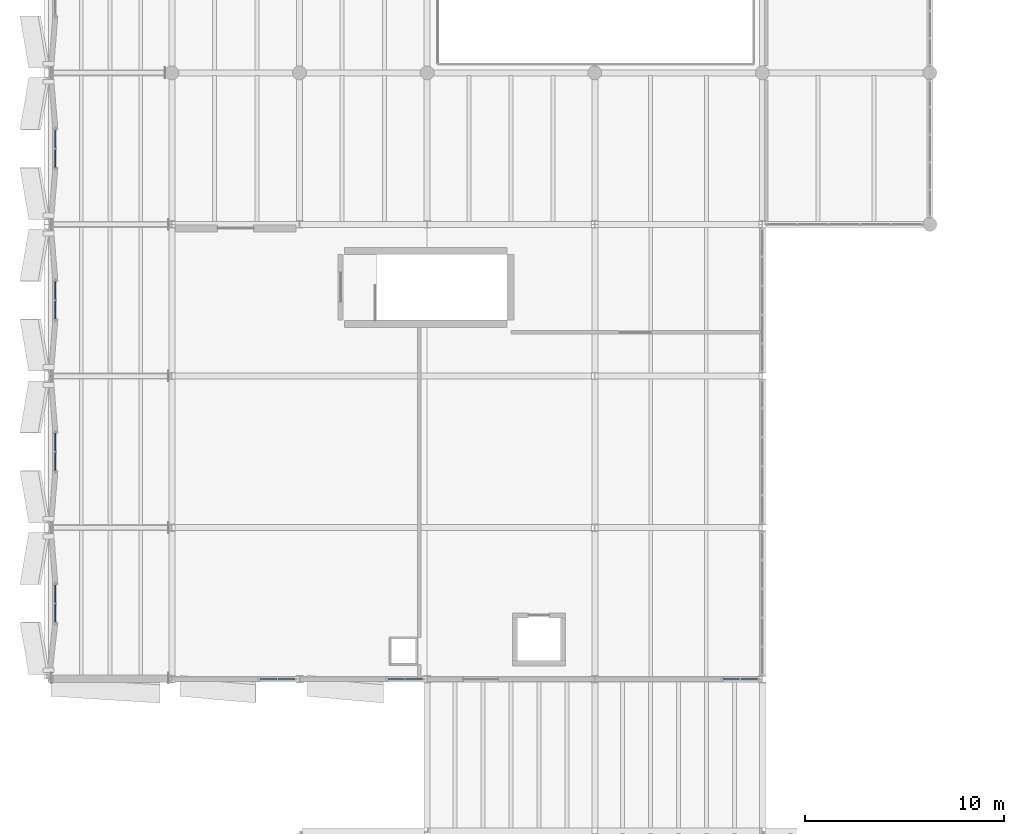
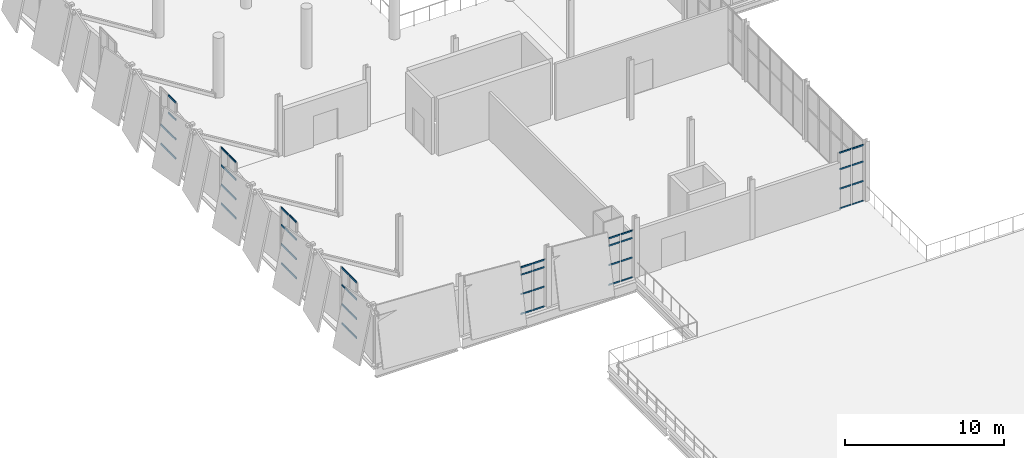
# One storey, part 46 of 74: 54 members, 7 elements without a shape of their own.
"""IFC4 building model written with IfcOpenShell, lengths in metres."""

from ifc_helpers import new_model, si_unit, direction, frame, origin, origin_2d, place, context, subcontext, project, spatial, hollow_rectangle, extrude, material, material_profile, profile_set, type_object, element, aggregate, save


model = new_model("IFC4")

# Units and contexts
model_context = context("Model", 3, precision=1e-05, world=origin(), true_north=direction((0.0, 1.0)))
body_context = subcontext(model_context, "Body", "Model", "MODEL_VIEW")
ifc_project = project(units=[si_unit("LENGTHUNIT", "METRE"), si_unit("AREAUNIT", "SQUARE_METRE"), si_unit("VOLUMEUNIT", "CUBIC_METRE"), si_unit("PLANEANGLEUNIT", "RADIAN"), si_unit("MASSUNIT", "GRAM", prefix="KILO")], contexts=[model_context])

# Site, building, storey
site_placement = place(None, origin())
site = spatial("IfcSite", under=ifc_project, at=site_placement, CompositionType="ELEMENT")
building_placement = place(site_placement, origin())
building = spatial("IfcBuilding", under=site, at=building_placement, Name="Shengluoqiao Park Theatre", CompositionType="ELEMENT")
storey_placement = place(building_placement, frame((0.0, 0.0, 14.60009765625)))
storey = spatial("IfcBuildingStorey", under=building, at=storey_placement, Name="L03", CompositionType="ELEMENT", Elevation=14.60009765625)

# Curtain wall, members
ifc_material = material(Name="Aluminium 6063-T6", Category="aluminium")
curtain_wall_type_1 = type_object("IfcCurtainWallType", Name="ENV-CW-STUDIO", PredefinedType="NOTDEFINED", material=ifc_material)
curtain_wall_1_placement = place(storey_placement, origin())
curtain_wall_1 = element("IfcCurtainWall", 1, at=curtain_wall_1_placement, inside=storey, type_object=curtain_wall_type_1, Name="L03 Curtain Wall CWX-L03-0030", PredefinedType="NOTDEFINED")
ifc_material_profile_1 = material_profile(ifc_material, hollow_rectangle(XDim=0.06005859375, YDim=0.1201171875, WallThickness=0.00390625, InnerFilletRadius=0.00390625, OuterFilletRadius=0.008056640625, at=origin_2d()), Name="ALU TRANSOM 120x60x4")
ifc_profile_set_1 = profile_set([ifc_material_profile_1], Name="Aluminium 6063-T6")
member_type_1 = type_object("IfcMemberType", Name="ENV-TRN-120", PredefinedType="USERDEFINED", material=ifc_profile_set_1)
member_1_placement = place(storey_placement, frame((10.826904296875, 30.39990234375, 0.02978515625), z_axis=(1.0, 0.0, 0.0), x_axis=(0.0, 1.0, 0.0)))
member_1 = element("IfcMember", 2, at=member_1_placement, type_object=member_type_1, Name="CW-02 transom 1.1", ObjectType="TRANSOM", PredefinedType="USERDEFINED", context=body_context, shape_type="SweptSolid", body=[
    extrude(hollow_rectangle(XDim=0.06005859375, YDim=0.1201171875, WallThickness=0.00390625, InnerFilletRadius=0.00390625, OuterFilletRadius=0.008056640625, at=origin_2d()), origin(), (0.0, 0.0, 1.0), 0.837646484375),
])
member_2_placement = place(storey_placement, frame((10.826904296875, 30.39990234375, 1.5498046875), z_axis=(1.0, 0.0, 0.0), x_axis=(0.0, 1.0, 0.0)))
member_2 = element("IfcMember", 3, at=member_2_placement, type_object=member_type_1, Name="CW-02 transom 1.2", ObjectType="TRANSOM", PredefinedType="USERDEFINED", context=body_context, shape_type="SweptSolid", body=[
    extrude(hollow_rectangle(XDim=0.06005859375, YDim=0.1201171875, WallThickness=0.00390625, InnerFilletRadius=0.00390625, OuterFilletRadius=0.008056640625, at=origin_2d()), origin(), (0.0, 0.0, 1.0), 0.837646484375),
])
member_3_placement = place(storey_placement, frame((10.826904296875, 30.39990234375, 3.0498046875), z_axis=(1.0, 0.0, 0.0), x_axis=(0.0, 1.0, 0.0)))
member_3 = element("IfcMember", 4, at=member_3_placement, type_object=member_type_1, Name="CW-02 transom 1.3", ObjectType="TRANSOM", PredefinedType="USERDEFINED", context=body_context, shape_type="SweptSolid", body=[
    extrude(hollow_rectangle(XDim=0.06005859375, YDim=0.1201171875, WallThickness=0.00390625, InnerFilletRadius=0.00390625, OuterFilletRadius=0.008056640625, at=origin_2d()), origin(), (0.0, 0.0, 1.0), 0.837646484375),
])
member_4_placement = place(storey_placement, frame((10.826904296875, 30.39990234375, 3.60791015625), z_axis=(1.0, 0.0, 0.0), x_axis=(0.0, 1.0, 0.0)))
member_4 = element("IfcMember", 5, at=member_4_placement, type_object=member_type_1, Name="CW-02 transom 1.4", ObjectType="TRANSOM", PredefinedType="USERDEFINED", context=body_context, shape_type="SweptSolid", body=[
    extrude(hollow_rectangle(XDim=0.06005859375, YDim=0.1201171875, WallThickness=0.00390625, InnerFilletRadius=0.00390625, OuterFilletRadius=0.008056640625, at=origin_2d()), origin(), (0.0, 0.0, 1.0), 0.837646484375),
])
member_5_placement = place(storey_placement, frame((11.724609375, 30.39990234375, 0.02978515625), z_axis=(1.0, 0.0, 0.0), x_axis=(0.0, 1.0, 0.0)))
member_5 = element("IfcMember", 6, at=member_5_placement, type_object=member_type_1, Name="CW-02 transom 2.1", ObjectType="TRANSOM", PredefinedType="USERDEFINED", context=body_context, shape_type="SweptSolid", body=[
    extrude(hollow_rectangle(XDim=0.06005859375, YDim=0.1201171875, WallThickness=0.00390625, InnerFilletRadius=0.00390625, OuterFilletRadius=0.008056640625, at=origin_2d()), origin(), (0.0, 0.0, 1.0), 0.83740234375),
])
member_6_placement = place(storey_placement, frame((11.724609375, 30.39990234375, 1.5498046875), z_axis=(1.0, 0.0, 0.0), x_axis=(0.0, 1.0, 0.0)))
member_6 = element("IfcMember", 7, at=member_6_placement, type_object=member_type_1, Name="CW-02 transom 2.2", ObjectType="TRANSOM", PredefinedType="USERDEFINED", context=body_context, shape_type="SweptSolid", body=[
    extrude(hollow_rectangle(XDim=0.06005859375, YDim=0.1201171875, WallThickness=0.00390625, InnerFilletRadius=0.00390625, OuterFilletRadius=0.008056640625, at=origin_2d()), origin(), (0.0, 0.0, 1.0), 0.83740234375),
])
member_7_placement = place(storey_placement, frame((11.724609375, 30.39990234375, 3.0498046875), z_axis=(1.0, 0.0, 0.0), x_axis=(0.0, 1.0, 0.0)))
member_7 = element("IfcMember", 8, at=member_7_placement, type_object=member_type_1, Name="CW-02 transom 2.3", ObjectType="TRANSOM", PredefinedType="USERDEFINED", context=body_context, shape_type="SweptSolid", body=[
    extrude(hollow_rectangle(XDim=0.06005859375, YDim=0.1201171875, WallThickness=0.00390625, InnerFilletRadius=0.00390625, OuterFilletRadius=0.008056640625, at=origin_2d()), origin(), (0.0, 0.0, 1.0), 0.83740234375),
])
member_8_placement = place(storey_placement, frame((11.724609375, 30.39990234375, 3.60791015625), z_axis=(1.0, 0.0, 0.0), x_axis=(0.0, 1.0, 0.0)))
member_8 = element("IfcMember", 9, at=member_8_placement, type_object=member_type_1, Name="CW-02 transom 2.4", ObjectType="TRANSOM", PredefinedType="USERDEFINED", context=body_context, shape_type="SweptSolid", body=[
    extrude(hollow_rectangle(XDim=0.06005859375, YDim=0.1201171875, WallThickness=0.00390625, InnerFilletRadius=0.00390625, OuterFilletRadius=0.008056640625, at=origin_2d()), origin(), (0.0, 0.0, 1.0), 0.83740234375),
])
aggregate(curtain_wall_1, [member_1, member_2, member_3, member_4, member_5, member_6, member_7, member_8])

curtain_wall_2_placement = place(storey_placement, origin())
curtain_wall_2 = element("IfcCurtainWall", 10, at=curtain_wall_2_placement, inside=storey, type_object=curtain_wall_type_1, Name="L03 Curtain Wall CWX-L03-0031", PredefinedType="NOTDEFINED")
member_9_placement = place(storey_placement, frame((17.22705078125, 30.39990234375, 0.02978515625), z_axis=(1.0, 0.0, 0.0), x_axis=(0.0, 1.0, 0.0)))
member_9 = element("IfcMember", 11, at=member_9_placement, type_object=member_type_1, Name="CW-02 transom 1.1", ObjectType="TRANSOM", PredefinedType="USERDEFINED", context=body_context, shape_type="SweptSolid", body=[
    extrude(hollow_rectangle(XDim=0.06005859375, YDim=0.1201171875, WallThickness=0.00390625, InnerFilletRadius=0.00390625, OuterFilletRadius=0.008056640625, at=origin_2d()), origin(), (0.0, 0.0, 1.0), 0.83740234375),
])
member_10_placement = place(storey_placement, frame((17.22705078125, 30.39990234375, 1.5498046875), z_axis=(1.0, 0.0, 0.0), x_axis=(0.0, 1.0, 0.0)))
member_10 = element("IfcMember", 12, at=member_10_placement, type_object=member_type_1, Name="CW-02 transom 1.2", ObjectType="TRANSOM", PredefinedType="USERDEFINED", context=body_context, shape_type="SweptSolid", body=[
    extrude(hollow_rectangle(XDim=0.06005859375, YDim=0.1201171875, WallThickness=0.00390625, InnerFilletRadius=0.00390625, OuterFilletRadius=0.008056640625, at=origin_2d()), origin(), (0.0, 0.0, 1.0), 0.83740234375),
])
member_11_placement = place(storey_placement, frame((17.22705078125, 30.39990234375, 3.0498046875), z_axis=(1.0, 0.0, 0.0), x_axis=(0.0, 1.0, 0.0)))
member_11 = element("IfcMember", 13, at=member_11_placement, type_object=member_type_1, Name="CW-02 transom 1.3", ObjectType="TRANSOM", PredefinedType="USERDEFINED", context=body_context, shape_type="SweptSolid", body=[
    extrude(hollow_rectangle(XDim=0.06005859375, YDim=0.1201171875, WallThickness=0.00390625, InnerFilletRadius=0.00390625, OuterFilletRadius=0.008056640625, at=origin_2d()), origin(), (0.0, 0.0, 1.0), 0.83740234375),
])
member_12_placement = place(storey_placement, frame((17.22705078125, 30.39990234375, 3.60791015625), z_axis=(1.0, 0.0, 0.0), x_axis=(0.0, 1.0, 0.0)))
member_12 = element("IfcMember", 14, at=member_12_placement, type_object=member_type_1, Name="CW-02 transom 1.4", ObjectType="TRANSOM", PredefinedType="USERDEFINED", context=body_context, shape_type="SweptSolid", body=[
    extrude(hollow_rectangle(XDim=0.06005859375, YDim=0.1201171875, WallThickness=0.00390625, InnerFilletRadius=0.00390625, OuterFilletRadius=0.008056640625, at=origin_2d()), origin(), (0.0, 0.0, 1.0), 0.83740234375),
])
member_13_placement = place(storey_placement, frame((18.12451171875, 30.39990234375, 0.02978515625), z_axis=(1.0, 0.0, 0.0), x_axis=(0.0, 1.0, 0.0)))
member_13 = element("IfcMember", 15, at=member_13_placement, type_object=member_type_1, Name="CW-02 transom 2.1", ObjectType="TRANSOM", PredefinedType="USERDEFINED", context=body_context, shape_type="SweptSolid", body=[
    extrude(hollow_rectangle(XDim=0.06005859375, YDim=0.1201171875, WallThickness=0.00390625, InnerFilletRadius=0.00390625, OuterFilletRadius=0.008056640625, at=origin_2d()), origin(), (0.0, 0.0, 1.0), 0.83740234375),
])
member_14_placement = place(storey_placement, frame((18.12451171875, 30.39990234375, 1.5498046875), z_axis=(1.0, 0.0, 0.0), x_axis=(0.0, 1.0, 0.0)))
member_14 = element("IfcMember", 16, at=member_14_placement, type_object=member_type_1, Name="CW-02 transom 2.2", ObjectType="TRANSOM", PredefinedType="USERDEFINED", context=body_context, shape_type="SweptSolid", body=[
    extrude(hollow_rectangle(XDim=0.06005859375, YDim=0.1201171875, WallThickness=0.00390625, InnerFilletRadius=0.00390625, OuterFilletRadius=0.008056640625, at=origin_2d()), origin(), (0.0, 0.0, 1.0), 0.83740234375),
])
member_15_placement = place(storey_placement, frame((18.12451171875, 30.39990234375, 3.0498046875), z_axis=(1.0, 0.0, 0.0), x_axis=(0.0, 1.0, 0.0)))
member_15 = element("IfcMember", 17, at=member_15_placement, type_object=member_type_1, Name="CW-02 transom 2.3", ObjectType="TRANSOM", PredefinedType="USERDEFINED", context=body_context, shape_type="SweptSolid", body=[
    extrude(hollow_rectangle(XDim=0.06005859375, YDim=0.1201171875, WallThickness=0.00390625, InnerFilletRadius=0.00390625, OuterFilletRadius=0.008056640625, at=origin_2d()), origin(), (0.0, 0.0, 1.0), 0.83740234375),
])
member_16_placement = place(storey_placement, frame((18.12451171875, 30.39990234375, 3.60791015625), z_axis=(1.0, 0.0, 0.0), x_axis=(0.0, 1.0, 0.0)))
member_16 = element("IfcMember", 18, at=member_16_placement, type_object=member_type_1, Name="CW-02 transom 2.4", ObjectType="TRANSOM", PredefinedType="USERDEFINED", context=body_context, shape_type="SweptSolid", body=[
    extrude(hollow_rectangle(XDim=0.06005859375, YDim=0.1201171875, WallThickness=0.00390625, InnerFilletRadius=0.00390625, OuterFilletRadius=0.008056640625, at=origin_2d()), origin(), (0.0, 0.0, 1.0), 0.83740234375),
])
aggregate(curtain_wall_2, [member_9, member_10, member_11, member_12, member_13, member_14, member_15, member_16])

curtain_wall_3_placement = place(storey_placement, origin())
curtain_wall_3 = element("IfcCurtainWall", 19, at=curtain_wall_3_placement, inside=storey, type_object=curtain_wall_type_1, Name="L03 Curtain Wall CWX-L03-0032", PredefinedType="NOTDEFINED")
member_17_placement = place(storey_placement, frame((34.027099609375, 30.39990234375, 0.02978515625), z_axis=(1.0, 0.0, 0.0), x_axis=(0.0, 1.0, 0.0)))
member_17 = element("IfcMember", 20, at=member_17_placement, type_object=member_type_1, Name="CW-02 transom 1.1", ObjectType="TRANSOM", PredefinedType="USERDEFINED", context=body_context, shape_type="SweptSolid", body=[
    extrude(hollow_rectangle(XDim=0.06005859375, YDim=0.1201171875, WallThickness=0.00390625, InnerFilletRadius=0.00390625, OuterFilletRadius=0.008056640625, at=origin_2d()), origin(), (0.0, 0.0, 1.0), 0.83740234375),
])
member_18_placement = place(storey_placement, frame((34.027099609375, 30.39990234375, 1.5498046875), z_axis=(1.0, 0.0, 0.0), x_axis=(0.0, 1.0, 0.0)))
member_18 = element("IfcMember", 21, at=member_18_placement, type_object=member_type_1, Name="CW-02 transom 1.2", ObjectType="TRANSOM", PredefinedType="USERDEFINED", context=body_context, shape_type="SweptSolid", body=[
    extrude(hollow_rectangle(XDim=0.06005859375, YDim=0.1201171875, WallThickness=0.00390625, InnerFilletRadius=0.00390625, OuterFilletRadius=0.008056640625, at=origin_2d()), origin(), (0.0, 0.0, 1.0), 0.83740234375),
])
member_19_placement = place(storey_placement, frame((34.027099609375, 30.39990234375, 3.0498046875), z_axis=(1.0, 0.0, 0.0), x_axis=(0.0, 1.0, 0.0)))
member_19 = element("IfcMember", 22, at=member_19_placement, type_object=member_type_1, Name="CW-02 transom 1.3", ObjectType="TRANSOM", PredefinedType="USERDEFINED", context=body_context, shape_type="SweptSolid", body=[
    extrude(hollow_rectangle(XDim=0.06005859375, YDim=0.1201171875, WallThickness=0.00390625, InnerFilletRadius=0.00390625, OuterFilletRadius=0.008056640625, at=origin_2d()), origin(), (0.0, 0.0, 1.0), 0.83740234375),
])
member_20_placement = place(storey_placement, frame((34.027099609375, 30.39990234375, 4.309814453125), z_axis=(1.0, 0.0, 0.0), x_axis=(0.0, 1.0, 0.0)))
member_20 = element("IfcMember", 23, at=member_20_placement, type_object=member_type_1, Name="CW-02 transom 1.4", ObjectType="TRANSOM", PredefinedType="USERDEFINED", context=body_context, shape_type="SweptSolid", body=[
    extrude(hollow_rectangle(XDim=0.06005859375, YDim=0.1201171875, WallThickness=0.00390625, InnerFilletRadius=0.00390625, OuterFilletRadius=0.008056640625, at=origin_2d()), origin(), (0.0, 0.0, 1.0), 0.83740234375),
])
member_21_placement = place(storey_placement, frame((34.924560546875, 30.39990234375, 0.02978515625), z_axis=(1.0, 0.0, 0.0), x_axis=(0.0, 1.0, 0.0)))
member_21 = element("IfcMember", 24, at=member_21_placement, type_object=member_type_1, Name="CW-02 transom 2.1", ObjectType="TRANSOM", PredefinedType="USERDEFINED", context=body_context, shape_type="SweptSolid", body=[
    extrude(hollow_rectangle(XDim=0.06005859375, YDim=0.1201171875, WallThickness=0.00390625, InnerFilletRadius=0.00390625, OuterFilletRadius=0.008056640625, at=origin_2d()), origin(), (0.0, 0.0, 1.0), 0.83740234375),
])
member_22_placement = place(storey_placement, frame((34.924560546875, 30.39990234375, 1.5498046875), z_axis=(1.0, 0.0, 0.0), x_axis=(0.0, 1.0, 0.0)))
member_22 = element("IfcMember", 25, at=member_22_placement, type_object=member_type_1, Name="CW-02 transom 2.2", ObjectType="TRANSOM", PredefinedType="USERDEFINED", context=body_context, shape_type="SweptSolid", body=[
    extrude(hollow_rectangle(XDim=0.06005859375, YDim=0.1201171875, WallThickness=0.00390625, InnerFilletRadius=0.00390625, OuterFilletRadius=0.008056640625, at=origin_2d()), origin(), (0.0, 0.0, 1.0), 0.83740234375),
])
member_23_placement = place(storey_placement, frame((34.924560546875, 30.39990234375, 3.0498046875), z_axis=(1.0, 0.0, 0.0), x_axis=(0.0, 1.0, 0.0)))
member_23 = element("IfcMember", 26, at=member_23_placement, type_object=member_type_1, Name="CW-02 transom 2.3", ObjectType="TRANSOM", PredefinedType="USERDEFINED", context=body_context, shape_type="SweptSolid", body=[
    extrude(hollow_rectangle(XDim=0.06005859375, YDim=0.1201171875, WallThickness=0.00390625, InnerFilletRadius=0.00390625, OuterFilletRadius=0.008056640625, at=origin_2d()), origin(), (0.0, 0.0, 1.0), 0.83740234375),
])
member_24_placement = place(storey_placement, frame((34.924560546875, 30.39990234375, 4.309814453125), z_axis=(1.0, 0.0, 0.0), x_axis=(0.0, 1.0, 0.0)))
member_24 = element("IfcMember", 27, at=member_24_placement, type_object=member_type_1, Name="CW-02 transom 2.4", ObjectType="TRANSOM", PredefinedType="USERDEFINED", context=body_context, shape_type="SweptSolid", body=[
    extrude(hollow_rectangle(XDim=0.06005859375, YDim=0.1201171875, WallThickness=0.00390625, InnerFilletRadius=0.00390625, OuterFilletRadius=0.008056640625, at=origin_2d()), origin(), (0.0, 0.0, 1.0), 0.83740234375),
])
aggregate(curtain_wall_3, [member_17, member_18, member_19, member_20, member_21, member_22, member_23, member_24])

curtain_wall_4_placement = place(storey_placement, origin())
curtain_wall_4 = element("IfcCurtainWall", 28, at=curtain_wall_4_placement, inside=storey, type_object=curtain_wall_type_1, Name="L03 Curtain Wall CW-L03-SLIT-0244", PredefinedType="NOTDEFINED")
ifc_material_profile_2 = material_profile(ifc_material, hollow_rectangle(XDim=0.06494140625, YDim=0.14990234375, WallThickness=0.00390625, InnerFilletRadius=0.00390625, OuterFilletRadius=0.008056640625, at=origin_2d()), Name="ALU TRANSOM 150x65x4")
ifc_profile_set_2 = profile_set([ifc_material_profile_2], Name="Aluminium 6063-T6")
member_type_2 = type_object("IfcMemberType", Name="ENV-TRN-150", PredefinedType="USERDEFINED", material=ifc_profile_set_2)
member_25_placement = place(storey_placement, frame((0.56005859375, 33.264892578125, 0.032470703125), z_axis=(0.0, 1.0, 0.0), x_axis=(-1.0, 0.0, 0.0)))
member_25 = element("IfcMember", 29, at=member_25_placement, type_object=member_type_2, Name="CW-02 transom 1.1", ObjectType="TRANSOM", PredefinedType="USERDEFINED", context=body_context, shape_type="SweptSolid", body=[
    extrude(hollow_rectangle(XDim=0.06494140625, YDim=0.14990234375, WallThickness=0.00390625, InnerFilletRadius=0.00390625, OuterFilletRadius=0.008056640625, at=origin_2d()), origin(), (0.0, 0.0, 1.0), 0.902587890625),
])
member_26_placement = place(storey_placement, frame((0.56005859375, 33.264892578125, 1.5), z_axis=(0.0, 1.0, 0.0), x_axis=(-1.0, 0.0, 0.0)))
member_26 = element("IfcMember", 30, at=member_26_placement, type_object=member_type_2, Name="CW-02 transom 1.2", ObjectType="TRANSOM", PredefinedType="USERDEFINED", context=body_context, shape_type="SweptSolid", body=[
    extrude(hollow_rectangle(XDim=0.06494140625, YDim=0.14990234375, WallThickness=0.00390625, InnerFilletRadius=0.00390625, OuterFilletRadius=0.008056640625, at=origin_2d()), origin(), (0.0, 0.0, 1.0), 0.902587890625),
])
member_27_placement = place(storey_placement, frame((0.56005859375, 33.264892578125, 3.0), z_axis=(0.0, 1.0, 0.0), x_axis=(-1.0, 0.0, 0.0)))
member_27 = element("IfcMember", 31, at=member_27_placement, type_object=member_type_2, Name="CW-02 transom 1.3", ObjectType="TRANSOM", PredefinedType="USERDEFINED", context=body_context, shape_type="SweptSolid", body=[
    extrude(hollow_rectangle(XDim=0.06494140625, YDim=0.14990234375, WallThickness=0.00390625, InnerFilletRadius=0.00390625, OuterFilletRadius=0.008056640625, at=origin_2d()), origin(), (0.0, 0.0, 1.0), 0.902587890625),
])
member_28_placement = place(storey_placement, frame((0.56005859375, 33.264892578125, 4.327392578125), z_axis=(0.0, 1.0, 0.0), x_axis=(-1.0, 0.0, 0.0)))
member_28 = element("IfcMember", 32, at=member_28_placement, type_object=member_type_2, Name="CW-02 transom 1.4", ObjectType="TRANSOM", PredefinedType="USERDEFINED", context=body_context, shape_type="SweptSolid", body=[
    extrude(hollow_rectangle(XDim=0.06494140625, YDim=0.14990234375, WallThickness=0.00390625, InnerFilletRadius=0.00390625, OuterFilletRadius=0.008056640625, at=origin_2d()), origin(), (0.0, 0.0, 1.0), 0.902587890625),
])
member_29_placement = place(storey_placement, frame((0.56005859375, 34.232421875, 0.032470703125), z_axis=(0.0, 1.0, 0.0), x_axis=(-1.0, 0.0, 0.0)))
member_29 = element("IfcMember", 33, at=member_29_placement, type_object=member_type_2, Name="CW-02 transom 2.1", ObjectType="TRANSOM", PredefinedType="USERDEFINED", context=body_context, shape_type="SweptSolid", body=[
    extrude(hollow_rectangle(XDim=0.06494140625, YDim=0.14990234375, WallThickness=0.00390625, InnerFilletRadius=0.00390625, OuterFilletRadius=0.008056640625, at=origin_2d()), origin(), (0.0, 0.0, 1.0), 0.902587890625),
])
member_30_placement = place(storey_placement, frame((0.56005859375, 34.232421875, 1.5), z_axis=(0.0, 1.0, 0.0), x_axis=(-1.0, 0.0, 0.0)))
member_30 = element("IfcMember", 34, at=member_30_placement, type_object=member_type_2, Name="CW-02 transom 2.2", ObjectType="TRANSOM", PredefinedType="USERDEFINED", context=body_context, shape_type="SweptSolid", body=[
    extrude(hollow_rectangle(XDim=0.06494140625, YDim=0.14990234375, WallThickness=0.00390625, InnerFilletRadius=0.00390625, OuterFilletRadius=0.008056640625, at=origin_2d()), origin(), (0.0, 0.0, 1.0), 0.902587890625),
])
member_31_placement = place(storey_placement, frame((0.56005859375, 34.232421875, 3.0), z_axis=(0.0, 1.0, 0.0), x_axis=(-1.0, 0.0, 0.0)))
member_31 = element("IfcMember", 35, at=member_31_placement, type_object=member_type_2, Name="CW-02 transom 2.3", ObjectType="TRANSOM", PredefinedType="USERDEFINED", context=body_context, shape_type="SweptSolid", body=[
    extrude(hollow_rectangle(XDim=0.06494140625, YDim=0.14990234375, WallThickness=0.00390625, InnerFilletRadius=0.00390625, OuterFilletRadius=0.008056640625, at=origin_2d()), origin(), (0.0, 0.0, 1.0), 0.902587890625),
])
member_32_placement = place(storey_placement, frame((0.56005859375, 34.232421875, 4.327392578125), z_axis=(0.0, 1.0, 0.0), x_axis=(-1.0, 0.0, 0.0)))
member_32 = element("IfcMember", 36, at=member_32_placement, type_object=member_type_2, Name="CW-02 transom 2.4", ObjectType="TRANSOM", PredefinedType="USERDEFINED", context=body_context, shape_type="SweptSolid", body=[
    extrude(hollow_rectangle(XDim=0.06494140625, YDim=0.14990234375, WallThickness=0.00390625, InnerFilletRadius=0.00390625, OuterFilletRadius=0.008056640625, at=origin_2d()), origin(), (0.0, 0.0, 1.0), 0.902587890625),
])
aggregate(curtain_wall_4, [member_25, member_26, member_27, member_28, member_29, member_30, member_31, member_32])

curtain_wall_5_placement = place(storey_placement, origin())
curtain_wall_5 = element("IfcCurtainWall", 37, at=curtain_wall_5_placement, inside=storey, type_object=curtain_wall_type_1, Name="L03 Curtain Wall CW-L03-SLIT-0245", PredefinedType="NOTDEFINED")
member_33_placement = place(storey_placement, frame((0.56005859375, 40.864990234375, 0.032470703125), z_axis=(0.0, 1.0, 0.0), x_axis=(-1.0, 0.0, 0.0)))
member_33 = element("IfcMember", 38, at=member_33_placement, type_object=member_type_2, Name="CW-02 transom 1.1", ObjectType="TRANSOM", PredefinedType="USERDEFINED", context=body_context, shape_type="SweptSolid", body=[
    extrude(hollow_rectangle(XDim=0.06494140625, YDim=0.14990234375, WallThickness=0.00390625, InnerFilletRadius=0.00390625, OuterFilletRadius=0.008056640625, at=origin_2d()), origin(), (0.0, 0.0, 1.0), 0.902587890625),
])
member_34_placement = place(storey_placement, frame((0.56005859375, 40.864990234375, 1.5), z_axis=(0.0, 1.0, 0.0), x_axis=(-1.0, 0.0, 0.0)))
member_34 = element("IfcMember", 39, at=member_34_placement, type_object=member_type_2, Name="CW-02 transom 1.2", ObjectType="TRANSOM", PredefinedType="USERDEFINED", context=body_context, shape_type="SweptSolid", body=[
    extrude(hollow_rectangle(XDim=0.06494140625, YDim=0.14990234375, WallThickness=0.00390625, InnerFilletRadius=0.00390625, OuterFilletRadius=0.008056640625, at=origin_2d()), origin(), (0.0, 0.0, 1.0), 0.902587890625),
])
member_35_placement = place(storey_placement, frame((0.56005859375, 40.864990234375, 3.0), z_axis=(0.0, 1.0, 0.0), x_axis=(-1.0, 0.0, 0.0)))
member_35 = element("IfcMember", 40, at=member_35_placement, type_object=member_type_2, Name="CW-02 transom 1.3", ObjectType="TRANSOM", PredefinedType="USERDEFINED", context=body_context, shape_type="SweptSolid", body=[
    extrude(hollow_rectangle(XDim=0.06494140625, YDim=0.14990234375, WallThickness=0.00390625, InnerFilletRadius=0.00390625, OuterFilletRadius=0.008056640625, at=origin_2d()), origin(), (0.0, 0.0, 1.0), 0.902587890625),
])
member_36_placement = place(storey_placement, frame((0.56005859375, 40.864990234375, 4.327392578125), z_axis=(0.0, 1.0, 0.0), x_axis=(-1.0, 0.0, 0.0)))
member_36 = element("IfcMember", 41, at=member_36_placement, type_object=member_type_2, Name="CW-02 transom 1.4", ObjectType="TRANSOM", PredefinedType="USERDEFINED", context=body_context, shape_type="SweptSolid", body=[
    extrude(hollow_rectangle(XDim=0.06494140625, YDim=0.14990234375, WallThickness=0.00390625, InnerFilletRadius=0.00390625, OuterFilletRadius=0.008056640625, at=origin_2d()), origin(), (0.0, 0.0, 1.0), 0.902587890625),
])
member_37_placement = place(storey_placement, frame((0.56005859375, 41.83251953125, 0.032470703125), z_axis=(0.0, 1.0, 0.0), x_axis=(-1.0, 0.0, 0.0)))
member_37 = element("IfcMember", 42, at=member_37_placement, type_object=member_type_2, Name="CW-02 transom 2.1", ObjectType="TRANSOM", PredefinedType="USERDEFINED", context=body_context, shape_type="SweptSolid", body=[
    extrude(hollow_rectangle(XDim=0.06494140625, YDim=0.14990234375, WallThickness=0.00390625, InnerFilletRadius=0.00390625, OuterFilletRadius=0.008056640625, at=origin_2d()), origin(), (0.0, 0.0, 1.0), 0.902587890625),
])
member_38_placement = place(storey_placement, frame((0.56005859375, 41.83251953125, 1.5), z_axis=(0.0, 1.0, 0.0), x_axis=(-1.0, 0.0, 0.0)))
member_38 = element("IfcMember", 43, at=member_38_placement, type_object=member_type_2, Name="CW-02 transom 2.2", ObjectType="TRANSOM", PredefinedType="USERDEFINED", context=body_context, shape_type="SweptSolid", body=[
    extrude(hollow_rectangle(XDim=0.06494140625, YDim=0.14990234375, WallThickness=0.00390625, InnerFilletRadius=0.00390625, OuterFilletRadius=0.008056640625, at=origin_2d()), origin(), (0.0, 0.0, 1.0), 0.902587890625),
])
member_39_placement = place(storey_placement, frame((0.56005859375, 41.83251953125, 3.0), z_axis=(0.0, 1.0, 0.0), x_axis=(-1.0, 0.0, 0.0)))
member_39 = element("IfcMember", 44, at=member_39_placement, type_object=member_type_2, Name="CW-02 transom 2.3", ObjectType="TRANSOM", PredefinedType="USERDEFINED", context=body_context, shape_type="SweptSolid", body=[
    extrude(hollow_rectangle(XDim=0.06494140625, YDim=0.14990234375, WallThickness=0.00390625, InnerFilletRadius=0.00390625, OuterFilletRadius=0.008056640625, at=origin_2d()), origin(), (0.0, 0.0, 1.0), 0.902587890625),
])
member_40_placement = place(storey_placement, frame((0.56005859375, 41.83251953125, 4.327392578125), z_axis=(0.0, 1.0, 0.0), x_axis=(-1.0, 0.0, 0.0)))
member_40 = element("IfcMember", 45, at=member_40_placement, type_object=member_type_2, Name="CW-02 transom 2.4", ObjectType="TRANSOM", PredefinedType="USERDEFINED", context=body_context, shape_type="SweptSolid", body=[
    extrude(hollow_rectangle(XDim=0.06494140625, YDim=0.14990234375, WallThickness=0.00390625, InnerFilletRadius=0.00390625, OuterFilletRadius=0.008056640625, at=origin_2d()), origin(), (0.0, 0.0, 1.0), 0.902587890625),
])
aggregate(curtain_wall_5, [member_33, member_34, member_35, member_36, member_37, member_38, member_39, member_40])

curtain_wall_6_placement = place(storey_placement, origin())
curtain_wall_6 = element("IfcCurtainWall", 46, at=curtain_wall_6_placement, inside=storey, type_object=curtain_wall_type_1, Name="L03 Curtain Wall CW-L03-SLIT-0246", PredefinedType="NOTDEFINED")
member_41_placement = place(storey_placement, frame((0.56005859375, 48.465087890625, 0.032470703125), z_axis=(0.0, 1.0, 0.0), x_axis=(-1.0, 0.0, 0.0)))
member_41 = element("IfcMember", 47, at=member_41_placement, type_object=member_type_2, Name="CW-02 transom 1.1", ObjectType="TRANSOM", PredefinedType="USERDEFINED", context=body_context, shape_type="SweptSolid", body=[
    extrude(hollow_rectangle(XDim=0.06494140625, YDim=0.14990234375, WallThickness=0.00390625, InnerFilletRadius=0.00390625, OuterFilletRadius=0.008056640625, at=origin_2d()), origin(), (0.0, 0.0, 1.0), 0.90234375),
])
member_42_placement = place(storey_placement, frame((0.56005859375, 48.465087890625, 1.5), z_axis=(0.0, 1.0, 0.0), x_axis=(-1.0, 0.0, 0.0)))
member_42 = element("IfcMember", 48, at=member_42_placement, type_object=member_type_2, Name="CW-02 transom 1.2", ObjectType="TRANSOM", PredefinedType="USERDEFINED", context=body_context, shape_type="SweptSolid", body=[
    extrude(hollow_rectangle(XDim=0.06494140625, YDim=0.14990234375, WallThickness=0.00390625, InnerFilletRadius=0.00390625, OuterFilletRadius=0.008056640625, at=origin_2d()), origin(), (0.0, 0.0, 1.0), 0.90234375),
])
member_43_placement = place(storey_placement, frame((0.56005859375, 48.465087890625, 3.0), z_axis=(0.0, 1.0, 0.0), x_axis=(-1.0, 0.0, 0.0)))
member_43 = element("IfcMember", 49, at=member_43_placement, type_object=member_type_2, Name="CW-02 transom 1.3", ObjectType="TRANSOM", PredefinedType="USERDEFINED", context=body_context, shape_type="SweptSolid", body=[
    extrude(hollow_rectangle(XDim=0.06494140625, YDim=0.14990234375, WallThickness=0.00390625, InnerFilletRadius=0.00390625, OuterFilletRadius=0.008056640625, at=origin_2d()), origin(), (0.0, 0.0, 1.0), 0.90234375),
])
member_44_placement = place(storey_placement, frame((0.56005859375, 48.465087890625, 4.327392578125), z_axis=(0.0, 1.0, 0.0), x_axis=(-1.0, 0.0, 0.0)))
member_44 = element("IfcMember", 50, at=member_44_placement, type_object=member_type_2, Name="CW-02 transom 1.4", ObjectType="TRANSOM", PredefinedType="USERDEFINED", context=body_context, shape_type="SweptSolid", body=[
    extrude(hollow_rectangle(XDim=0.06494140625, YDim=0.14990234375, WallThickness=0.00390625, InnerFilletRadius=0.00390625, OuterFilletRadius=0.008056640625, at=origin_2d()), origin(), (0.0, 0.0, 1.0), 0.90234375),
])
member_45_placement = place(storey_placement, frame((0.56005859375, 49.4326171875, 0.032470703125), z_axis=(0.0, 1.0, 0.0), x_axis=(-1.0, 0.0, 0.0)))
member_45 = element("IfcMember", 51, at=member_45_placement, type_object=member_type_2, Name="CW-02 transom 2.1", ObjectType="TRANSOM", PredefinedType="USERDEFINED", context=body_context, shape_type="SweptSolid", body=[
    extrude(hollow_rectangle(XDim=0.06494140625, YDim=0.14990234375, WallThickness=0.00390625, InnerFilletRadius=0.00390625, OuterFilletRadius=0.008056640625, at=origin_2d()), origin(), (0.0, 0.0, 1.0), 0.90234375),
])
member_46_placement = place(storey_placement, frame((0.56005859375, 49.4326171875, 1.5), z_axis=(0.0, 1.0, 0.0), x_axis=(-1.0, 0.0, 0.0)))
member_46 = element("IfcMember", 52, at=member_46_placement, type_object=member_type_2, Name="CW-02 transom 2.2", ObjectType="TRANSOM", PredefinedType="USERDEFINED", context=body_context, shape_type="SweptSolid", body=[
    extrude(hollow_rectangle(XDim=0.06494140625, YDim=0.14990234375, WallThickness=0.00390625, InnerFilletRadius=0.00390625, OuterFilletRadius=0.008056640625, at=origin_2d()), origin(), (0.0, 0.0, 1.0), 0.90234375),
])
member_47_placement = place(storey_placement, frame((0.56005859375, 49.4326171875, 3.0), z_axis=(0.0, 1.0, 0.0), x_axis=(-1.0, 0.0, 0.0)))
member_47 = element("IfcMember", 53, at=member_47_placement, type_object=member_type_2, Name="CW-02 transom 2.3", ObjectType="TRANSOM", PredefinedType="USERDEFINED", context=body_context, shape_type="SweptSolid", body=[
    extrude(hollow_rectangle(XDim=0.06494140625, YDim=0.14990234375, WallThickness=0.00390625, InnerFilletRadius=0.00390625, OuterFilletRadius=0.008056640625, at=origin_2d()), origin(), (0.0, 0.0, 1.0), 0.90234375),
])
member_48_placement = place(storey_placement, frame((0.56005859375, 49.4326171875, 4.327392578125), z_axis=(0.0, 1.0, 0.0), x_axis=(-1.0, 0.0, 0.0)))
member_48 = element("IfcMember", 54, at=member_48_placement, type_object=member_type_2, Name="CW-02 transom 2.4", ObjectType="TRANSOM", PredefinedType="USERDEFINED", context=body_context, shape_type="SweptSolid", body=[
    extrude(hollow_rectangle(XDim=0.06494140625, YDim=0.14990234375, WallThickness=0.00390625, InnerFilletRadius=0.00390625, OuterFilletRadius=0.008056640625, at=origin_2d()), origin(), (0.0, 0.0, 1.0), 0.90234375),
])
aggregate(curtain_wall_6, [member_41, member_42, member_43, member_44, member_45, member_46, member_47, member_48])

curtain_wall_type_2 = type_object("IfcCurtainWallType", Name="ENV-CW-FOYER", PredefinedType="NOTDEFINED", material=ifc_material)
curtain_wall_7_placement = place(storey_placement, origin())
curtain_wall_7 = element("IfcCurtainWall", 55, at=curtain_wall_7_placement, inside=storey, type_object=curtain_wall_type_2, Name="L03 Curtain Wall CW-L03-SLIT-0247", PredefinedType="NOTDEFINED")
member_49_placement = place(storey_placement, frame((0.56005859375, 56.06494140625, 0.032470703125), z_axis=(0.0, 1.0, 0.0), x_axis=(-1.0, 0.0, 0.0)))
member_49 = element("IfcMember", 56, at=member_49_placement, type_object=member_type_2, Name="CW-01 transom 1.1", ObjectType="TRANSOM", PredefinedType="USERDEFINED", context=body_context, shape_type="SweptSolid", body=[
    extrude(hollow_rectangle(XDim=0.06494140625, YDim=0.14990234375, WallThickness=0.00390625, InnerFilletRadius=0.00390625, OuterFilletRadius=0.008056640625, at=origin_2d()), origin(), (0.0, 0.0, 1.0), 0.902587890625),
])
member_50_placement = place(storey_placement, frame((0.56005859375, 56.06494140625, 1.5), z_axis=(0.0, 1.0, 0.0), x_axis=(-1.0, 0.0, 0.0)))
member_50 = element("IfcMember", 57, at=member_50_placement, type_object=member_type_2, Name="CW-01 transom 1.2", ObjectType="TRANSOM", PredefinedType="USERDEFINED", context=body_context, shape_type="SweptSolid", body=[
    extrude(hollow_rectangle(XDim=0.06494140625, YDim=0.14990234375, WallThickness=0.00390625, InnerFilletRadius=0.00390625, OuterFilletRadius=0.008056640625, at=origin_2d()), origin(), (0.0, 0.0, 1.0), 0.902587890625),
])
member_51_placement = place(storey_placement, frame((0.56005859375, 56.06494140625, 3.0), z_axis=(0.0, 1.0, 0.0), x_axis=(-1.0, 0.0, 0.0)))
member_51 = element("IfcMember", 58, at=member_51_placement, type_object=member_type_2, Name="CW-01 transom 1.3", ObjectType="TRANSOM", PredefinedType="USERDEFINED", context=body_context, shape_type="SweptSolid", body=[
    extrude(hollow_rectangle(XDim=0.06494140625, YDim=0.14990234375, WallThickness=0.00390625, InnerFilletRadius=0.00390625, OuterFilletRadius=0.008056640625, at=origin_2d()), origin(), (0.0, 0.0, 1.0), 0.902587890625),
])
member_52_placement = place(storey_placement, frame((0.56005859375, 56.06494140625, 4.327392578125), z_axis=(0.0, 1.0, 0.0), x_axis=(-1.0, 0.0, 0.0)))
member_52 = element("IfcMember", 59, at=member_52_placement, type_object=member_type_2, Name="CW-01 transom 1.4", ObjectType="TRANSOM", PredefinedType="USERDEFINED", context=body_context, shape_type="SweptSolid", body=[
    extrude(hollow_rectangle(XDim=0.06494140625, YDim=0.14990234375, WallThickness=0.00390625, InnerFilletRadius=0.00390625, OuterFilletRadius=0.008056640625, at=origin_2d()), origin(), (0.0, 0.0, 1.0), 0.902587890625),
])
member_53_placement = place(storey_placement, frame((0.56005859375, 57.032470703125, 0.032470703125), z_axis=(0.0, 1.0, 0.0), x_axis=(-1.0, 0.0, 0.0)))
member_53 = element("IfcMember", 60, at=member_53_placement, type_object=member_type_2, Name="CW-01 transom 2.1", ObjectType="TRANSOM", PredefinedType="USERDEFINED", context=body_context, shape_type="SweptSolid", body=[
    extrude(hollow_rectangle(XDim=0.06494140625, YDim=0.14990234375, WallThickness=0.00390625, InnerFilletRadius=0.00390625, OuterFilletRadius=0.008056640625, at=origin_2d()), origin(), (0.0, 0.0, 1.0), 0.902587890625),
])
member_54_placement = place(storey_placement, frame((0.56005859375, 57.032470703125, 1.5), z_axis=(0.0, 1.0, 0.0), x_axis=(-1.0, 0.0, 0.0)))
member_54 = element("IfcMember", 61, at=member_54_placement, type_object=member_type_2, Name="CW-01 transom 2.2", ObjectType="TRANSOM", PredefinedType="USERDEFINED", context=body_context, shape_type="SweptSolid", body=[
    extrude(hollow_rectangle(XDim=0.06494140625, YDim=0.14990234375, WallThickness=0.00390625, InnerFilletRadius=0.00390625, OuterFilletRadius=0.008056640625, at=origin_2d()), origin(), (0.0, 0.0, 1.0), 0.902587890625),
])
aggregate(curtain_wall_7, [member_49, member_50, member_51, member_52, member_53, member_54])

save(model, "model.ifc")
